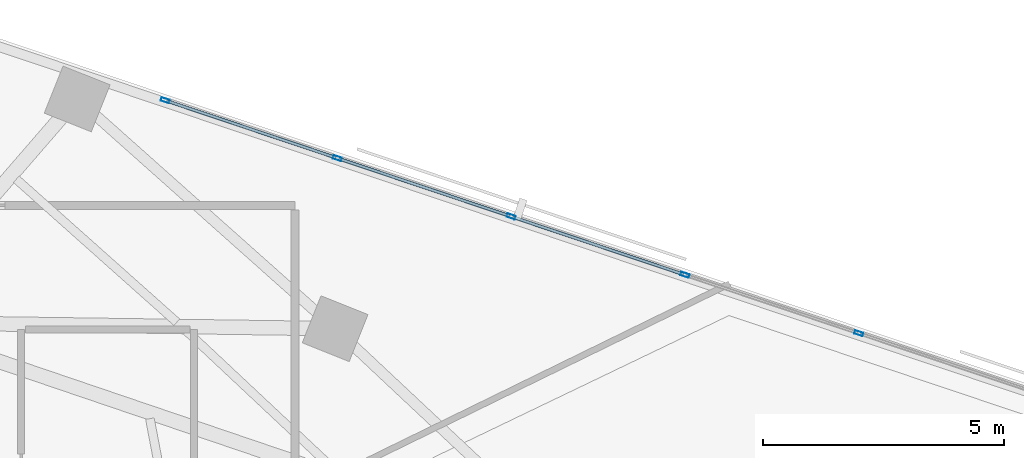
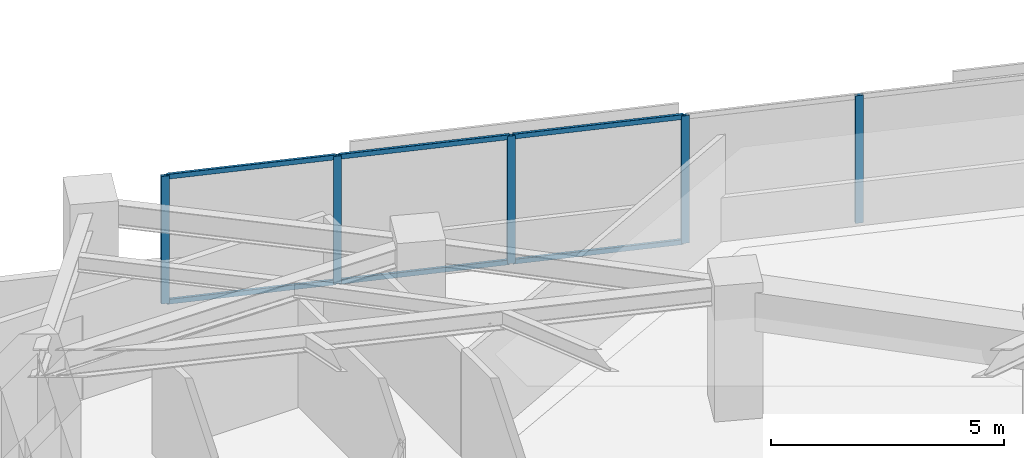
# One storey, part 4 of 14: 11 members, 1 element without a shape of its own.
"""IFC4 building model written with IfcOpenShell, lengths in metres."""

from ifc_helpers import new_model, si_unit, direction, frame, origin, origin_2d, place, context, subcontext, project, spatial, hollow_rectangle, extrude, material, material_profile, profile_set, type_object, element, aggregate, save


model = new_model("IFC4")

# Units and contexts
model_context = context("Model", 3, precision=1e-05, world=origin(), true_north=direction((0.0, 1.0)))
body_context = subcontext(model_context, "Body", "Model", "MODEL_VIEW")
ifc_project = project(units=[si_unit("LENGTHUNIT", "METRE"), si_unit("AREAUNIT", "SQUARE_METRE"), si_unit("VOLUMEUNIT", "CUBIC_METRE"), si_unit("PLANEANGLEUNIT", "RADIAN"), si_unit("MASSUNIT", "GRAM", prefix="KILO")], contexts=[model_context])

# Site, building, storey
site_placement = place(None, origin())
site = spatial("IfcSite", under=ifc_project, at=site_placement, CompositionType="ELEMENT")
building_placement = place(site_placement, origin())
building = spatial("IfcBuilding", under=site, at=building_placement, Name="Narakoshi Arena Tower", CompositionType="ELEMENT")
storey_placement = place(building_placement, frame((0.0, 0.0, 175.5)))
storey = spatial("IfcBuildingStorey", under=building, at=storey_placement, Name="L47", CompositionType="ELEMENT", Elevation=175.5)

# Curtain wall, members
ifc_material = material(Name="Anodised bronze aluminium 6063-T6", Category="aluminium")
curtain_wall_type = type_object("IfcCurtainWallType", Name="CW-HYP-MID", PredefinedType="NOTDEFINED", material=ifc_material)
curtain_wall_placement = place(storey_placement, origin())
curtain_wall = element("IfcCurtainWall", 1, at=curtain_wall_placement, inside=storey, type_object=curtain_wall_type, Name="L47 Folded Hypotenuse Curtain Wall 1-1", PredefinedType="NOTDEFINED")
ifc_material_profile_1 = material_profile(ifc_material, hollow_rectangle(XDim=0.074951171875, YDim=0.179931640625, WallThickness=0.00390625, OuterFilletRadius=0.0048828125, at=origin_2d()), Name="MUL180x75x4")
ifc_profile_set_1 = profile_set([ifc_material_profile_1], Name="Anodised bronze aluminium 6063-T6")
member_type_1 = type_object("IfcMemberType", Name="MEM-MUL-180", PredefinedType="MULLION", material=ifc_profile_set_1)
member_1_placement = place(storey_placement, frame((105.783447265625, 56.272705078125, 0.0), z_axis=(0.0, 0.0, 1.0), x_axis=(-0.318260960253, -0.948003144077, 0.0)))
member_1 = element("IfcMember", 2, at=member_1_placement, type_object=member_type_1, Name="CW-02 mullion 4", PredefinedType="MULLION", context=body_context, shape_type="SweptSolid", body=[
    extrude(hollow_rectangle(XDim=0.074951171875, YDim=0.179931640625, WallThickness=0.00390625, OuterFilletRadius=0.0048828125, at=origin_2d()), origin(), (0.0, 0.0, 1.0), 3.340087890625),
])
member_2_placement = place(storey_placement, frame((102.176025390625, 57.48388671875, 0.0), z_axis=(0.0, 0.0, 1.0), x_axis=(-0.318260960253, -0.948003144077, 0.0)))
member_2 = element("IfcMember", 3, at=member_2_placement, type_object=member_type_1, Name="CW-02 mullion 5", PredefinedType="MULLION", context=body_context, shape_type="SweptSolid", body=[
    extrude(hollow_rectangle(XDim=0.074951171875, YDim=0.179931640625, WallThickness=0.00390625, OuterFilletRadius=0.0048828125, at=origin_2d()), origin(), (0.0, 0.0, 1.0), 3.340087890625),
])
member_3_placement = place(storey_placement, frame((98.568359375, 58.695068359375, 0.0), z_axis=(0.0, 0.0, 1.0), x_axis=(-0.318260960253, -0.948003144077, 0.0)))
member_3 = element("IfcMember", 4, at=member_3_placement, type_object=member_type_1, Name="CW-02 mullion 6", PredefinedType="MULLION", context=body_context, shape_type="SweptSolid", body=[
    extrude(hollow_rectangle(XDim=0.074951171875, YDim=0.179931640625, WallThickness=0.00390625, OuterFilletRadius=0.0048828125, at=origin_2d()), origin(), (0.0, 0.0, 1.0), 3.340087890625),
])
member_4_placement = place(storey_placement, frame((94.960693359375, 59.90625, 0.0), z_axis=(0.0, 0.0, 1.0), x_axis=(-0.318260960253, -0.948003144077, 0.0)))
member_4 = element("IfcMember", 5, at=member_4_placement, type_object=member_type_1, Name="CW-02 mullion 7", PredefinedType="MULLION", context=body_context, shape_type="SweptSolid", body=[
    extrude(hollow_rectangle(XDim=0.074951171875, YDim=0.179931640625, WallThickness=0.00390625, OuterFilletRadius=0.0048828125, at=origin_2d()), origin(), (0.0, 0.0, 1.0), 3.340087890625),
])
member_5_placement = place(storey_placement, frame((91.388671875, 61.10546875, 0.0), z_axis=(0.0, 0.0, 1.0), x_axis=(-0.318260960253, -0.948003144077, 0.0)))
member_5 = element("IfcMember", 6, at=member_5_placement, type_object=member_type_1, Name="CW-02 mullion 8", PredefinedType="MULLION", context=body_context, shape_type="SweptSolid", body=[
    extrude(hollow_rectangle(XDim=0.074951171875, YDim=0.179931640625, WallThickness=0.00390625, OuterFilletRadius=0.0048828125, at=origin_2d()), origin(), (0.0, 0.0, 1.0), 3.340087890625),
])
ifc_material_profile_2 = material_profile(ifc_material, hollow_rectangle(XDim=0.06494140625, YDim=0.1298828125, WallThickness=0.00390625, OuterFilletRadius=0.0048828125, at=origin_2d()), Name="TRN130x65x4")
ifc_profile_set_2 = profile_set([ifc_material_profile_2], Name="Anodised bronze aluminium 6063-T6")
member_type_2 = type_object("IfcMemberType", Name="MEM-TRN-130", PredefinedType="USERDEFINED", material=ifc_profile_set_2)
member_6_placement = place(storey_placement, frame((102.140380859375, 57.495849609375, 0.032470703125), z_axis=(-0.948000451231, 0.318268981314, 0.0), x_axis=(-0.318268981314, -0.948000451231, 0.0)))
member_6 = element("IfcMember", 7, at=member_6_placement, type_object=member_type_2, Name="CW-02 transom 5.1", ObjectType="TRANSOM", PredefinedType="USERDEFINED", context=body_context, shape_type="SweptSolid", body=[
    extrude(hollow_rectangle(XDim=0.06494140625, YDim=0.1298828125, WallThickness=0.00390625, OuterFilletRadius=0.0048828125, at=origin_2d()), origin(), (0.0, 0.0, 1.0), 3.73046875),
])
member_7_placement = place(storey_placement, frame((102.140380859375, 57.495849609375, 3.3076171875), z_axis=(-0.948000451231, 0.318268981314, 0.0), x_axis=(-0.318268981314, -0.948000451231, 0.0)))
member_7 = element("IfcMember", 8, at=member_7_placement, type_object=member_type_2, Name="CW-02 transom 5.2", ObjectType="TRANSOM", PredefinedType="USERDEFINED", context=body_context, shape_type="SweptSolid", body=[
    extrude(hollow_rectangle(XDim=0.06494140625, YDim=0.1298828125, WallThickness=0.00390625, OuterFilletRadius=0.0048828125, at=origin_2d()), origin(), (0.0, 0.0, 1.0), 3.73046875),
])
member_8_placement = place(storey_placement, frame((98.53271484375, 58.70703125, 0.032470703125), z_axis=(-0.948000451231, 0.318268981314, 0.0), x_axis=(-0.318268981314, -0.948000451231, 0.0)))
member_8 = element("IfcMember", 9, at=member_8_placement, type_object=member_type_2, Name="CW-02 transom 6.1", ObjectType="TRANSOM", PredefinedType="USERDEFINED", context=body_context, shape_type="SweptSolid", body=[
    extrude(hollow_rectangle(XDim=0.06494140625, YDim=0.1298828125, WallThickness=0.00390625, OuterFilletRadius=0.0048828125, at=origin_2d()), origin(), (0.0, 0.0, 1.0), 3.73046875),
])
member_9_placement = place(storey_placement, frame((98.53271484375, 58.70703125, 3.3076171875), z_axis=(-0.948000451231, 0.318268981314, 0.0), x_axis=(-0.318268981314, -0.948000451231, 0.0)))
member_9 = element("IfcMember", 10, at=member_9_placement, type_object=member_type_2, Name="CW-02 transom 6.2", ObjectType="TRANSOM", PredefinedType="USERDEFINED", context=body_context, shape_type="SweptSolid", body=[
    extrude(hollow_rectangle(XDim=0.06494140625, YDim=0.1298828125, WallThickness=0.00390625, OuterFilletRadius=0.0048828125, at=origin_2d()), origin(), (0.0, 0.0, 1.0), 3.73046875),
])
member_10_placement = place(storey_placement, frame((94.92529296875, 59.918212890625, 0.032470703125), z_axis=(-0.948006826737, 0.31824999051, 0.0), x_axis=(-0.31824999051, -0.948006826737, 0.0)))
member_10 = element("IfcMember", 11, at=member_10_placement, type_object=member_type_2, Name="CW-02 transom 7.1", ObjectType="TRANSOM", PredefinedType="USERDEFINED", context=body_context, shape_type="SweptSolid", body=[
    extrude(hollow_rectangle(XDim=0.06494140625, YDim=0.1298828125, WallThickness=0.00390625, OuterFilletRadius=0.0048828125, at=origin_2d()), origin(), (0.0, 0.0, 1.0), 3.69287109375),
])
member_11_placement = place(storey_placement, frame((94.92529296875, 59.918212890625, 3.3076171875), z_axis=(-0.948006826737, 0.31824999051, 0.0), x_axis=(-0.31824999051, -0.948006826737, 0.0)))
member_11 = element("IfcMember", 12, at=member_11_placement, type_object=member_type_2, Name="CW-02 transom 7.2", ObjectType="TRANSOM", PredefinedType="USERDEFINED", context=body_context, shape_type="SweptSolid", body=[
    extrude(hollow_rectangle(XDim=0.06494140625, YDim=0.1298828125, WallThickness=0.00390625, OuterFilletRadius=0.0048828125, at=origin_2d()), origin(), (0.0, 0.0, 1.0), 3.69287109375),
])
aggregate(curtain_wall, [member_1, member_2, member_3, member_4, member_5, member_6, member_7, member_8, member_9, member_10, member_11])

save(model, "model.ifc")
